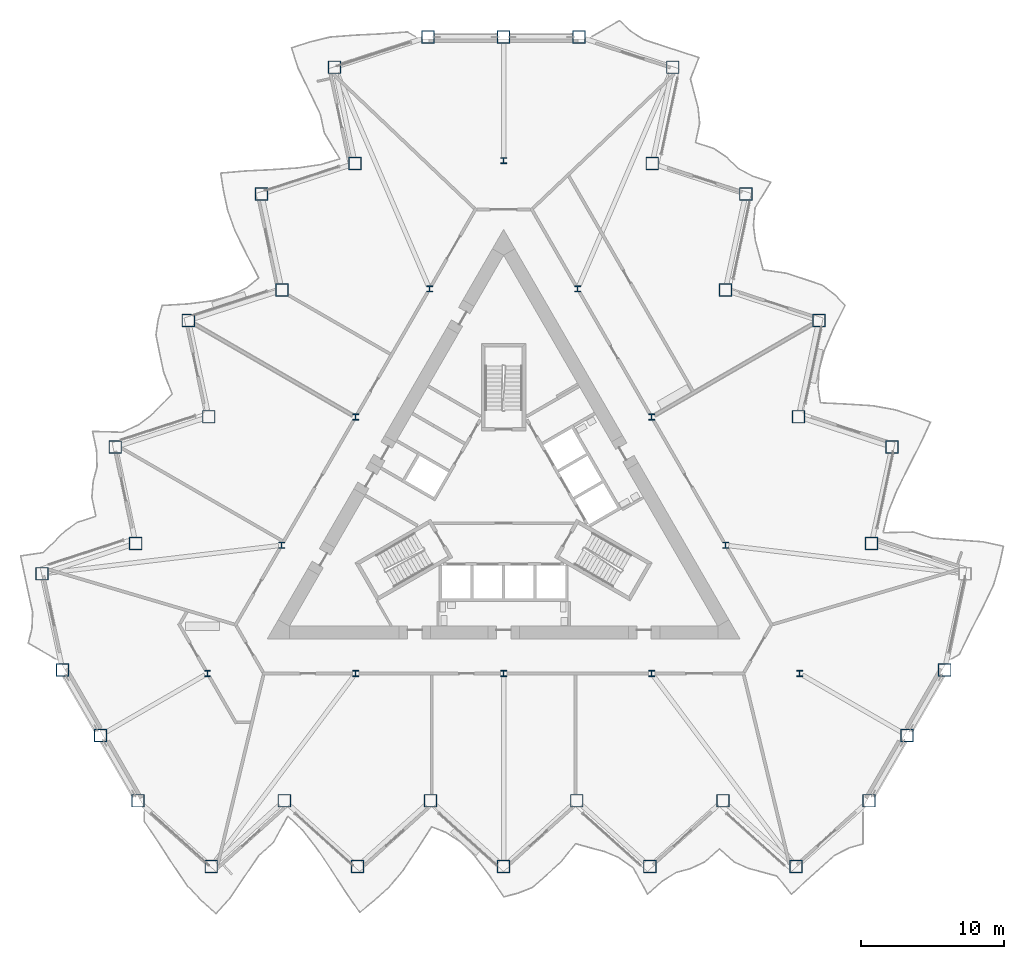
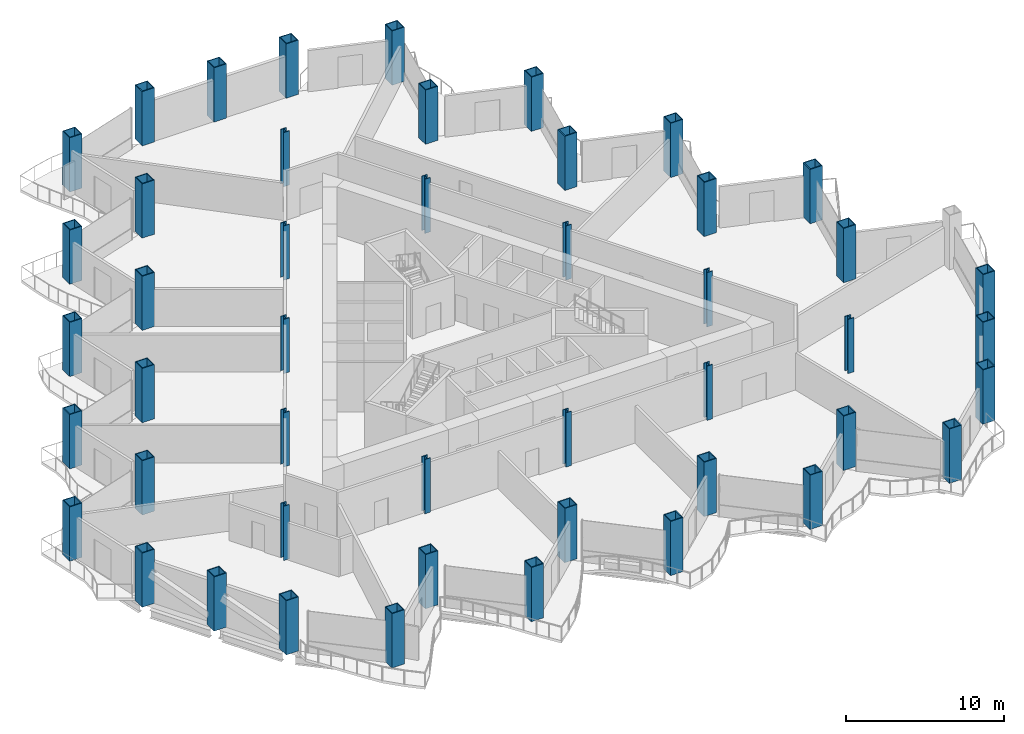
# One storey, part 1 of 21: 47 columns.
"""IFC4 building model written with IfcOpenShell, lengths in metres."""

from ifc_helpers import new_model, si_unit, direction, frame, origin, origin_2d, place, context, subcontext, project, spatial, hollow_rectangle, i_section, extrude, material, material_profile, profile_set, type_object, element, save


model = new_model("IFC4")

# Units and contexts
model_context = context("Model", 3, precision=1e-05, world=origin(), true_north=direction((0.0, 1.0)))
body_context = subcontext(model_context, "Body", "Model", "MODEL_VIEW")
ifc_project = project(units=[si_unit("LENGTHUNIT", "METRE"), si_unit("AREAUNIT", "SQUARE_METRE"), si_unit("VOLUMEUNIT", "CUBIC_METRE"), si_unit("PLANEANGLEUNIT", "RADIAN"), si_unit("MASSUNIT", "GRAM", prefix="KILO")], contexts=[model_context])

# Site, building, storey
site_placement = place(None, origin())
site = spatial("IfcSite", under=ifc_project, at=site_placement, CompositionType="ELEMENT")
building_placement = place(site_placement, origin())
building = spatial("IfcBuilding", under=site, at=building_placement, Name="Cormorant Prow Tower", CompositionType="ELEMENT")
storey_placement = place(building_placement, frame((0.0, 0.0, 112.199951171875)))
storey = spatial("IfcBuildingStorey", under=building, at=storey_placement, Name="L23", CompositionType="ELEMENT", Elevation=112.199951171875)

# Columns
ifc_material_1 = material(Name="Structural steel ASTM A572 Gr 50", Category="steel")
ifc_material_profile_1 = material_profile(ifc_material_1, hollow_rectangle(XDim=0.89990234375, YDim=0.89990234375, WallThickness=0.06005859375, at=origin_2d()), Name="Box 900x900x60")
ifc_profile_set_1 = profile_set([ifc_material_profile_1], Name="Structural steel ASTM A572 Gr 50")
column_type_1 = type_object("IfcColumnType", Name="Perimeter box column 900x900x60", PredefinedType="COLUMN", material=ifc_profile_set_1)
for number, where, z_axis, x_axis, name in (
    (1, (-25.499755859375, -20.80712890625, 0.0), (0.0, 0.0, 1.0), (1.0, 0.0, 0.0), "Perimeter column C3 at S00 L23"),
    (2, (-20.399658203125, -25.399169921875, 0.0), (0.0, 0.0, 1.0), (1.0, 0.0, 0.0), "Perimeter column C3 at S01 L23"),
    (3, (-15.2998046875, -20.80712890625, 0.0), (0.0, 0.0, 1.0), (1.0, 0.0, 0.0), "Perimeter column C3 at S02 L23"),
    (4, (-10.199951171875, -25.399169921875, 0.0), (0.0, 0.0, 1.0), (1.0, 0.0, 0.0), "Perimeter column C3 at S03 L23"),
    (5, (-5.099853515625, -20.80712890625, 0.0), (0.0, 0.0, 1.0), (1.0, 0.0, 0.0), "Perimeter column C3 at S04 L23"),
    (6, (0.0, -25.399169921875, 0.0), (0.0, 0.0, 1.0), (1.0, 0.0, 0.0), "Perimeter column C3 at S05 L23"),
    (7, (5.099853515625, -20.80712890625, 0.0), (0.0, 0.0, 1.0), (1.0, 0.0, 0.0), "Perimeter column C3 at S06 L23"),
    (8, (10.199951171875, -25.399169921875, 0.0), (0.0, 0.0, 1.0), (1.0, 0.0, 0.0), "Perimeter column C3 at S07 L23"),
    (9, (15.2998046875, -20.80712890625, 0.0), (0.0, 0.0, 1.0), (1.0, 0.0, 0.0), "Perimeter column C3 at S08 L23"),
    (10, (20.399658203125, -25.399169921875, 0.0), (0.0, 0.0, 1.0), (1.0, 0.0, 0.0), "Perimeter column C3 at S09 L23"),
    (11, (25.499755859375, -20.80712890625, 0.0), (0.0, 0.0, 1.0), (1.0, 0.0, 0.0), "Perimeter column C3 at ESE00 L23"),
    (12, (28.134521484375, -16.243408203125, 0.0), (0.0, 0.0, 1.0), (1.0, 0.0, 0.0), "Perimeter column C3 at ESE01 L23"),
    (13, (30.769287109375, -11.679931640625, 0.0), (0.0, 0.0, 1.0), (1.0, 0.0, 0.0), "Perimeter column C3 at ENE00 L23"),
    (14, (25.66943359375, -2.846435546875, 0.0), (0.0, 0.0, 1.0), (1.0, 0.0, 0.0), "Perimeter column C3 at ENE02 L23"),
    (15, (27.09619140625, 3.8662109375, 0.0), (0.0, 0.0, 1.0), (1.0, 0.0, 0.0), "Perimeter column C3 at ENE03 L23"),
    (16, (20.569580078125, 5.98681640625, 0.0), (0.0, 0.0, 1.0), (1.0, 0.0, 0.0), "Perimeter column C3 at ENE04 L23"),
    (17, (21.996337890625, 12.699462890625, 0.0), (0.0, 0.0, 1.0), (1.0, 0.0, 0.0), "Perimeter column C3 at ENE05 L23"),
    (18, (15.469482421875, 14.8203125, 0.0), (0.0, 0.0, 1.0), (1.0, 0.0, 0.0), "Perimeter column C3 at ENE06 L23"),
    (19, (16.896240234375, 21.532958984375, 0.0), (0.0, 0.0, 1.0), (1.0, 0.0, 0.0), "Perimeter column C3 at ENE07 L23"),
    (20, (10.36962890625, 23.653564453125, 0.0), (0.0, 0.0, 1.0), (1.0, 0.0, 0.0), "Perimeter column C3 at ENE08 L23"),
    (21, (11.79638671875, 30.3662109375, 0.0), (0.0, 0.0, 1.0), (1.0, 0.0, 0.0), "Perimeter column C3 at ENE09 L23"),
    (22, (5.269775390625, 32.487060546875, 0.0), (0.0, 0.0, 1.0), (1.0, 0.0, 0.0), "Perimeter column C3 at N00 L23"),
    (23, (0.0, 32.487060546875, 0.0), (0.0, 0.0, 1.0), (1.0, 0.0, 0.0), "Perimeter column C3 at N01 L23"),
    (24, (-5.269775390625, 32.487060546875, 0.0), (0.0, 0.0, 1.0), (1.0, 0.0, 0.0), "Perimeter column C3 at WNW00 L23"),
    (25, (-11.79638671875, 30.3662109375, 0.0), (0.0, 0.0, 1.0), (1.0, 0.0, 0.0), "Perimeter column C3 at WNW01 L23"),
    (26, (-10.36962890625, 23.653564453125, 0.0), (0.0, 0.0, 1.0), (1.0, 0.0, 0.0), "Perimeter column C3 at WNW02 L23"),
    (27, (-16.896240234375, 21.532958984375, 0.0), (0.0, 0.0, 1.0), (1.0, 0.0, 0.0), "Perimeter column C3 at WNW03 L23"),
    (28, (-15.469482421875, 14.8203125, 0.0), (0.0, 0.0, 1.0), (1.0, 0.0, 0.0), "Perimeter column C3 at WNW04 L23"),
    (29, (-21.996337890625, 12.699462890625, 0.0), (0.0, 0.0, 1.0), (1.0, 0.0, 0.0), "Perimeter column C3 at WNW05 L23"),
    (30, (-20.569580078125, 5.98681640625, 0.0), (0.0, 0.0, 1.0), (1.0, 0.0, 0.0), "Perimeter column C3 at WNW06 L23"),
    (31, (-27.09619140625, 3.8662109375, 0.0), (0.0, 0.0, 1.0), (1.0, 0.0, 0.0), "Perimeter column C3 at WNW07 L23"),
    (32, (-25.66943359375, -2.846435546875, 0.0), (0.0, 0.0, 1.0), (1.0, 0.0, 0.0), "Perimeter column C3 at WNW08 L23"),
    (33, (-32.1962890625, -4.967041015625, 0.0), (0.0, 0.0, 1.0), (1.0, 0.0, 0.0), "Perimeter column C3 at WNW09 L23"),
    (34, (-30.769287109375, -11.679931640625, 0.0), (0.0, 0.0, 1.0), (1.0, 0.0, 0.0), "Perimeter column C3 at WSW00 L23"),
    (35, (-28.134521484375, -16.243408203125, 0.0), (0.0, 0.0, 1.0), (1.0, 0.0, 0.0), "Perimeter column C3 at WSW01 L23"),
):
    element("IfcColumn", number, at=place(storey_placement, frame(where, z_axis=z_axis, x_axis=x_axis)), inside=storey, type_object=column_type_1, Name=name, PredefinedType="COLUMN", context=body_context, shape_type="SweptSolid", body=[
        extrude(hollow_rectangle(XDim=0.89990234375, YDim=0.89990234375, WallThickness=0.06005859375, at=origin_2d()), origin(), (0.0, 0.0, 1.0), 4.199951171875),
    ])
ifc_material_2 = material(Name="Structural steel ASTM A992 Gr 50", Category="steel")
ifc_material_profile_2 = material_profile(ifc_material_2, i_section(OverallWidth=0.412109375, OverallDepth=0.434814453125, WebThickness=0.035888671875, FlangeThickness=0.057373046875, at=origin_2d()), Name="W14x311")
ifc_profile_set_2 = profile_set([ifc_material_profile_2], Name="Structural steel ASTM A992 Gr 50")
column_type_2 = type_object("IfcColumnType", Name="Ring column W14x311", PredefinedType="COLUMN", material=ifc_profile_set_2)
for number, where, z_axis, x_axis, name in (
    (36, (0.0, 23.8525390625, 0.0), (0.0, 0.0, 1.0), (1.0, 0.0, 0.0), "Ring column 1 L23"),
    (37, (-5.164306640625, 14.907958984375, 0.0), (0.0, 0.0, 1.0), (1.0, 0.0, 0.0), "Ring column 2 L23"),
    (38, (-10.328369140625, 5.963134765625, 0.0), (0.0, 0.0, 1.0), (1.0, 0.0, 0.0), "Ring column 3 L23"),
    (39, (-15.49267578125, -2.981689453125, 0.0), (0.0, 0.0, 1.0), (1.0, 0.0, 0.0), "Ring column 4 L23"),
    (40, (-20.656982421875, -11.92626953125, 0.0), (0.0, 0.0, 1.0), (1.0, 0.0, 0.0), "Ring column 5 L23"),
    (41, (-10.328369140625, -11.92626953125, 0.0), (0.0, 0.0, 1.0), (1.0, 0.0, 0.0), "Ring column 6 L23"),
    (42, (0.0, -11.92626953125, 0.0), (0.0, 0.0, 1.0), (1.0, 0.0, 0.0), "Ring column 7 L23"),
    (43, (10.328369140625, -11.92626953125, 0.0), (0.0, 0.0, 1.0), (1.0, 0.0, 0.0), "Ring column 8 L23"),
    (44, (20.656982421875, -11.92626953125, 0.0), (0.0, 0.0, 1.0), (1.0, 0.0, 0.0), "Ring column 9 L23"),
    (45, (15.49267578125, -2.981689453125, 0.0), (0.0, 0.0, 1.0), (1.0, 0.0, 0.0), "Ring column 10 L23"),
    (46, (10.328369140625, 5.963134765625, 0.0), (0.0, 0.0, 1.0), (1.0, 0.0, 0.0), "Ring column 11 L23"),
    (47, (5.164306640625, 14.907958984375, 0.0), (0.0, 0.0, 1.0), (1.0, 0.0, 0.0), "Ring column 12 L23"),
):
    element("IfcColumn", number, at=place(storey_placement, frame(where, z_axis=z_axis, x_axis=x_axis)), inside=storey, type_object=column_type_2, Name=name, PredefinedType="COLUMN", context=body_context, shape_type="SweptSolid", body=[
        extrude(i_section(OverallWidth=0.412109375, OverallDepth=0.434814453125, WebThickness=0.035888671875, FlangeThickness=0.057373046875, at=origin_2d()), origin(), (0.0, 0.0, 1.0), 4.199951171875),
    ])

save(model, "model.ifc")
